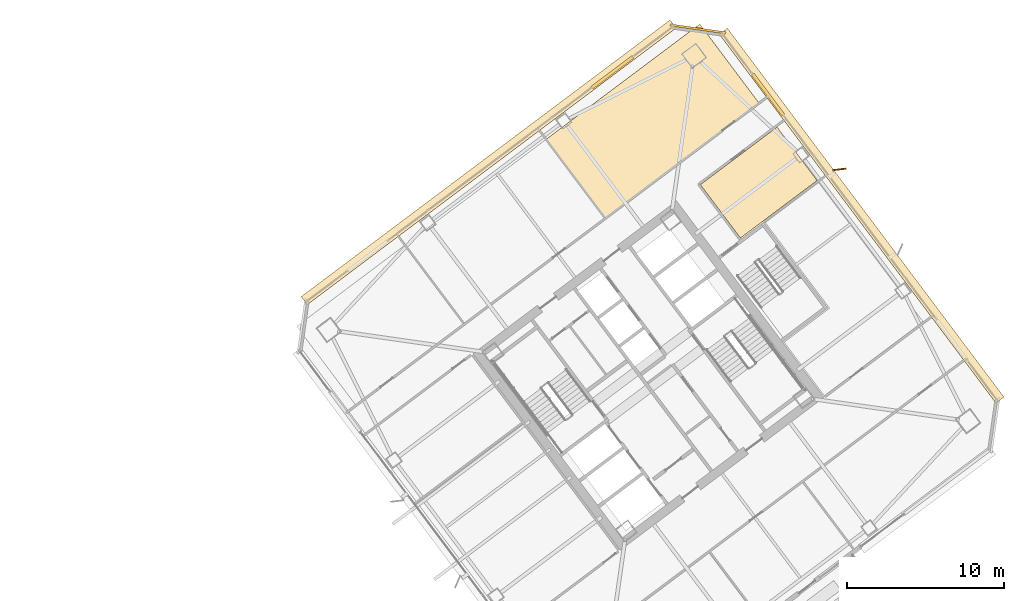
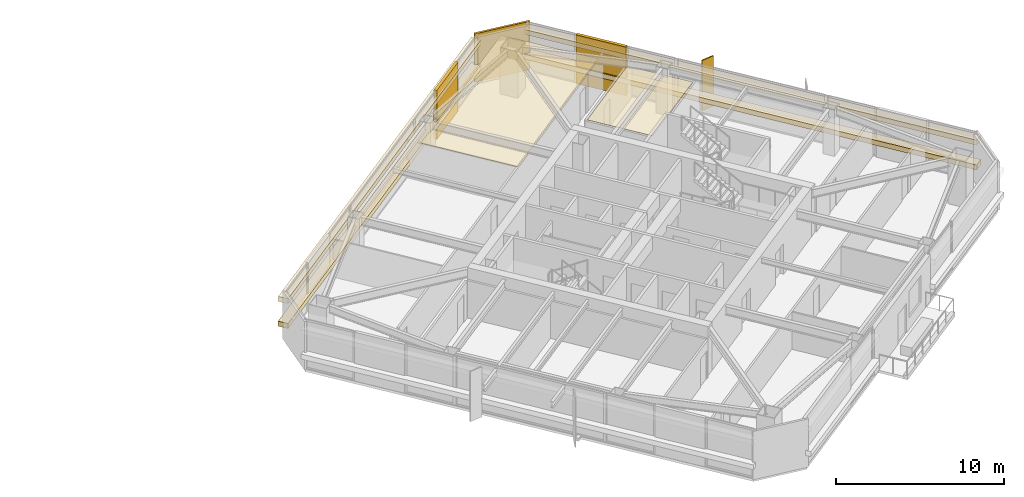
# One storey, part 46 of 46: 9 coverings, 1 shading device.
"""IFC4 building model written with IfcOpenShell, lengths in metres."""

from ifc_helpers import new_model, si_unit, direction, frame, origin, origin_2d, place, context, subcontext, project, spatial, polyline, rectangle, outline, extrude, material, layer, layer_set, type_object, element, save


model = new_model("IFC4")

# Units and contexts
model_context = context("Model", 3, precision=1e-05, world=origin(), true_north=direction((0.0, 1.0)))
body_context = subcontext(model_context, "Body", "Model", "MODEL_VIEW")
ifc_project = project(units=[si_unit("LENGTHUNIT", "METRE"), si_unit("AREAUNIT", "SQUARE_METRE"), si_unit("VOLUMEUNIT", "CUBIC_METRE"), si_unit("PLANEANGLEUNIT", "RADIAN"), si_unit("MASSUNIT", "GRAM", prefix="KILO")], contexts=[model_context])

# Site, building, storey
site_placement = place(None, origin())
site = spatial("IfcSite", under=ifc_project, at=site_placement, CompositionType="ELEMENT")
building_placement = place(site_placement, origin())
building = spatial("IfcBuilding", under=site, at=building_placement, Name="Tashvorn Skyway Center", CompositionType="ELEMENT")
storey_placement = place(building_placement, frame((0.0, 0.0, 167.64990234375)))
storey = spatial("IfcBuildingStorey", under=building, at=storey_placement, Name="L45", CompositionType="ELEMENT", Elevation=167.64990234375)

# Coverings
ifc_material_1 = material(Name="Precast concrete C40/50", Category="concrete")
ifc_layer_1 = layer(ifc_material_1, 0.199951171875)
ifc_layer_set_1 = layer_set([ifc_layer_1], Name="Precast concrete C40/50")
covering_type_1 = type_object("IfcCoveringType", Name="COV-BRACE-CLAD", PredefinedType="CLADDING", material=ifc_layer_set_1)
for number, where, z_axis, x_axis, name in (
    (1, (111.7080078125, 51.256103515625, 0.0), (0.0, 0.0, 1.0), (0.799999996291, 0.600000004945, 0.0), "Tower 2 L45 North Unitised Curtain Wall Mega-Brace Cladding Band 2"),
    (2, (121.592041015625, 49.843994140625, 0.0), (0.0, 0.0, 1.0), (0.600000004945, -0.799999996291, 0.0), "Tower 2 L45 East Unitised Curtain Wall Mega-Brace Cladding Band 1"),
):
    element("IfcCovering", number, at=place(storey_placement, frame(where, z_axis=z_axis, x_axis=x_axis)), inside=storey, type_object=covering_type_1, Name=name, PredefinedType="CLADDING", context=body_context, shape_type="SweptSolid", body=[
        extrude(rectangle(XDim=3.239990234375, YDim=0.199951171875, at=origin_2d()), origin(), (0.0, 0.0, 1.0), 3.550048828125),
    ])
ifc_material_2 = material(Name="Mineral-fibre acoustic ceiling tile on suspended grid")
ifc_layer_2 = layer(ifc_material_2, 0.02001953125)
ifc_layer_set_2 = layer_set([ifc_layer_2], Name="Mineral-fibre acoustic ceiling tile on suspended grid")
covering_type_2 = type_object("IfcCoveringType", Name="COV-CEIL-20", PredefinedType="CEILING", material=ifc_layer_set_2)
covering_1_placement = place(storey_placement, frame((0.0, 0.0, 2.703125)))
element("IfcCovering", 3, at=covering_1_placement, inside=storey, type_object=covering_type_2, Name="Tower 2 L45 Design Studio Acoustic Ceiling", PredefinedType="CEILING", context=body_context, shape_type="SweptSolid", body=[
    extrude(outline(polyline([(111.26806640625, 41.97607421875), (121.028076171875, 49.2958984375), (117.260009765625, 54.320068359375), (107.5, 47.0), (111.26806640625, 41.97607421875)])), origin(), (0.0, 0.0, 1.0), 0.02001953125),
])
covering_2_placement = place(storey_placement, frame((0.0, 0.0, 2.703125)))
element("IfcCovering", 4, at=covering_2_placement, inside=storey, type_object=covering_type_2, Name="Tower 2 L45 Executive Study Lounge Acoustic Ceiling", PredefinedType="CEILING", context=body_context, shape_type="SweptSolid", body=[
    extrude(outline(polyline([(119.840087890625, 40.72998046875), (117.2958984375, 44.1220703125), (122.16796875, 47.77587890625), (124.7119140625, 44.384033203125), (119.840087890625, 40.72998046875)])), origin(), (0.0, 0.0, 1.0), 0.02001953125),
])
ifc_material_3 = material(Name="Perforated ceramic-coated bronze aluminium solar screen", Category="aluminium")
ifc_layer_3 = layer(ifc_material_3, 0.85009765625)
ifc_layer_set_3 = layer_set([ifc_layer_3], Name="Perforated ceramic-coated bronze aluminium solar screen")
covering_type_3 = type_object("IfcCoveringType", Name="COV-SOLAR-BAND", PredefinedType="CLADDING", material=ifc_layer_set_3)
for number, where, z_axis, x_axis, name in (
    (5, (103.847900390625, 45.535888671875, 0.919921875), (0.0, 0.0, 1.0), (0.799999996291, 0.600000004945, 0.0), "L45 Perforated Ceramic-Metal Solar Screen Louvre Band North 1"),
    (6, (103.847900390625, 45.535888671875, 2.72021484375), (0.0, 0.0, 1.0), (0.799999996291, 0.600000004945, 0.0), "L45 Perforated Ceramic-Metal Solar Screen Louvre Band North 2"),
    (7, (127.535888671875, 42.152099609375, 0.919921875), (0.0, 0.0, 1.0), (0.600000004945, -0.799999996291, 0.0), "L45 Perforated Ceramic-Metal Solar Screen Louvre Band East 1"),
    (8, (127.535888671875, 42.152099609375, 2.72021484375), (0.0, 0.0, 1.0), (0.600000004945, -0.799999996291, 0.0), "L45 Perforated Ceramic-Metal Solar Screen Louvre Band East 2"),
):
    element("IfcCovering", number, at=place(storey_placement, frame(where, z_axis=z_axis, x_axis=x_axis)), inside=storey, type_object=covering_type_3, Name=name, PredefinedType="CLADDING", context=body_context, shape_type="SweptSolid", body=[
        extrude(rectangle(XDim=29.280029296875, YDim=0.639892578125, at=origin_2d()), origin(), (0.0, 0.0, 1.0), 0.360107421875),
    ])
ifc_layer_4 = layer(ifc_material_1, 0.35009765625)
ifc_layer_set_4 = layer_set([ifc_layer_4], Name="Precast concrete C40/50")
covering_type_4 = type_object("IfcCoveringType", Name="COV-STONE-TRIM", PredefinedType="CLADDING", material=ifc_layer_set_4)
covering_3_placement = place(storey_placement, frame((117.14404296875, 54.008056640625, 0.02001953125), z_axis=(0.0, 0.0, 1.0), x_axis=(0.989949494535, -0.141421350118, 0.0)))
element("IfcCovering", 9, at=covering_3_placement, inside=storey, type_object=covering_type_4, Name="Tower 2 L45 NE Mojave Limestone Corner Quoin", PredefinedType="CLADDING", context=body_context, shape_type="SweptSolid", body=[
    extrude(rectangle(XDim=3.55419921875, YDim=0.139892578125, at=origin_2d()), origin(), (0.0, 0.0, 1.0), 3.510009765625),
])

# Shading device
ifc_layer_5 = layer(ifc_material_3, 0.06005859375)
ifc_layer_set_5 = layer_set([ifc_layer_5], Name="Perforated ceramic-coated bronze aluminium solar screen")
shading_device_type = type_object("IfcShadingDeviceType", Name="SHD-SOLAR-850", PredefinedType="USERDEFINED", material=ifc_layer_set_5)
shading_device_placement = place(storey_placement, frame((126.1201171875, 45.090087890625, -0.099853515625), z_axis=(0.0, 0.0, 1.0), x_axis=(0.119615248407, -0.992820322288, 0.0)))
element("IfcShadingDevice", 10, at=shading_device_placement, inside=storey, type_object=shading_device_type, Name="Tower 2 L45 Perforated Ceramic-Metal Solar Screen E2", ObjectType="SCREEN", PredefinedType="USERDEFINED", context=body_context, shape_type="SweptSolid", body=[
    extrude(rectangle(XDim=0.080078125, YDim=0.85009765625, at=origin_2d()), origin(), (0.0, 0.0, 1.0), 3.64990234375),
])

save(model, "model.ifc")
